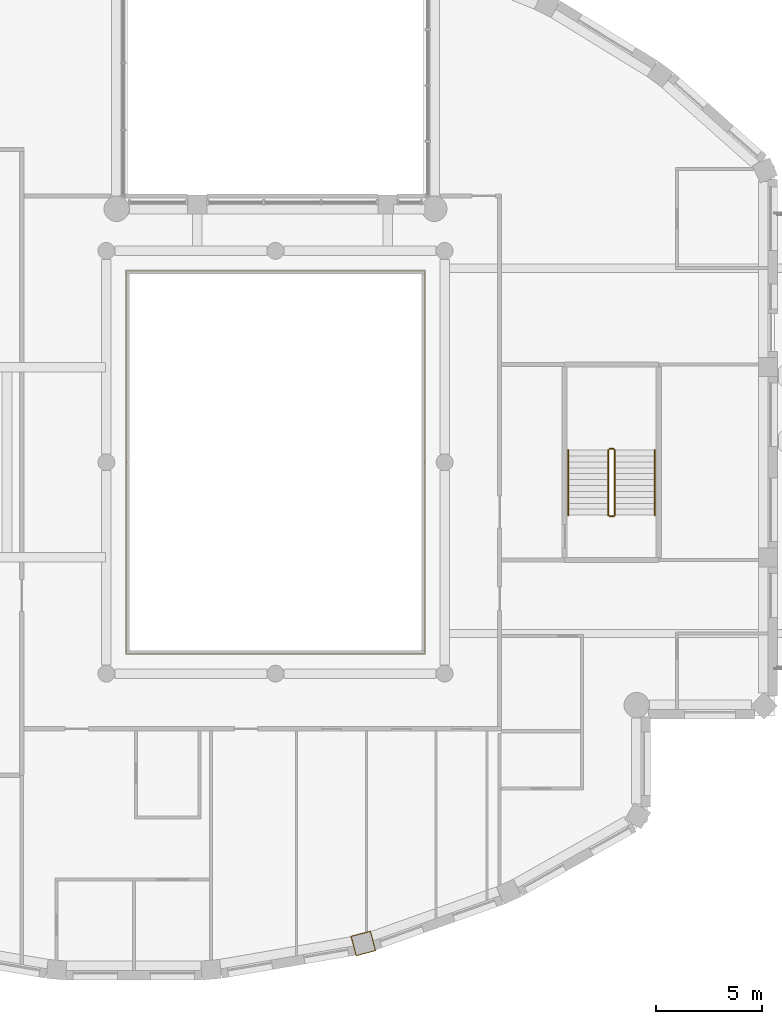
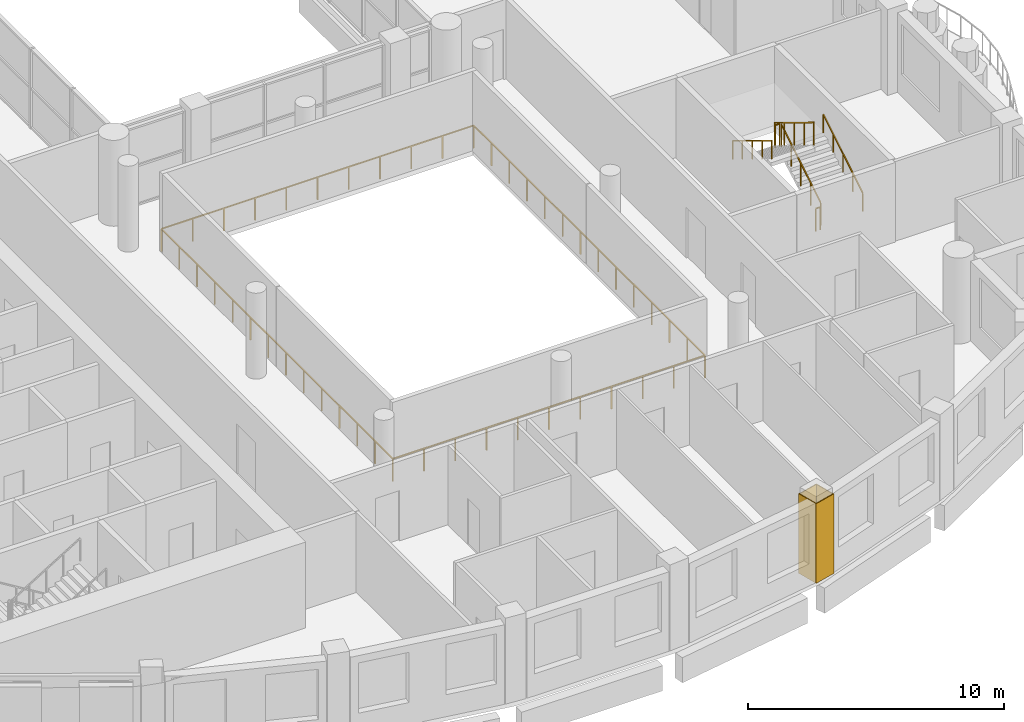
# One storey, part 11 of 14: 7 railings, 1 covering.
"""IFC4 building model written with IfcOpenShell, lengths in metres."""

from ifc_helpers import new_model, si_unit, direction, frame, origin, origin_2d, place, context, subcontext, project, spatial, polyline, rectangle, outline, extrude, material, layer, layer_set, type_object, element, save


model = new_model("IFC4")

# Units and contexts
model_context = context("Model", 3, precision=1e-05, world=origin(), true_north=direction((0.0, 1.0)))
body_context = subcontext(model_context, "Body", "Model", "MODEL_VIEW")
ifc_project = project(units=[si_unit("LENGTHUNIT", "METRE"), si_unit("AREAUNIT", "SQUARE_METRE"), si_unit("VOLUMEUNIT", "CUBIC_METRE"), si_unit("PLANEANGLEUNIT", "RADIAN"), si_unit("MASSUNIT", "GRAM", prefix="KILO")], contexts=[model_context])

# Site, building, storey
site_placement = place(None, origin())
site = spatial("IfcSite", under=ifc_project, at=site_placement, CompositionType="ELEMENT")
building_placement = place(site_placement, origin())
building = spatial("IfcBuilding", under=site, at=building_placement, Name="Cypress Arch Tower", CompositionType="ELEMENT")
storey_placement = place(building_placement, frame((0.0, 0.0, 325.39990234375)))
storey = spatial("IfcBuildingStorey", under=building, at=storey_placement, Name="L74", CompositionType="ELEMENT", Elevation=325.39990234375)

# Railing
ifc_material_1 = material(Name="Stainless steel posts and handrail, laminated glass infill", Category="steel")
railing_type_1 = type_object("IfcRailingType", Name="Atrium guard GR1100A", PredefinedType="GUARDRAIL", material=ifc_material_1)
railing_1_placement = place(storey_placement, frame((8.050048828125, -9.050048828125, 0.0)))
element("IfcRailing", 1, at=railing_1_placement, inside=storey, type_object=railing_type_1, Name="Atrium guard L74", PredefinedType="GUARDRAIL", context=body_context, shape_type="SweptSolid", body=[
    extrude(rectangle(XDim=0.050048828125, YDim=0.050048828125, at=origin_2d()), frame((0.0, 0.0, 1.0751953125), z_axis=(-1.0, 0.0, 0.0), x_axis=(0.0, -1.0, 0.0)), (0.0, 0.0, 1.0), 14.10009765625),
    extrude(rectangle(XDim=0.050048828125, YDim=0.050048828125, at=origin_2d()), frame((-14.10009765625, 0.0, 1.0751953125), z_axis=(0.0, 1.0, 0.0), x_axis=(-1.0, 0.0, 0.0)), (0.0, 0.0, 1.0), 18.10009765625),
    extrude(rectangle(XDim=0.050048828125, YDim=0.050048828125, at=origin_2d()), frame((-14.10009765625, 18.10009765625, 1.0751953125), z_axis=(1.0, 0.0, 0.0), x_axis=(0.0, 1.0, 0.0)), (0.0, 0.0, 1.0), 14.10009765625),
    extrude(rectangle(XDim=0.050048828125, YDim=0.050048828125, at=origin_2d()), frame((0.0, 18.10009765625, 1.0751953125), z_axis=(0.0, -1.0, 0.0), x_axis=(1.0, 0.0, 0.0)), (0.0, 0.0, 1.0), 18.10009765625),
    extrude(rectangle(XDim=0.050048828125, YDim=0.050048828125, at=origin_2d()), origin(), (0.0, 0.0, 1.0), 1.050048828125),
    extrude(rectangle(XDim=0.050048828125, YDim=0.050048828125, at=origin_2d()), frame((-1.409912109375, 0.0, 0.0)), (0.0, 0.0, 1.0), 1.050048828125),
    extrude(rectangle(XDim=0.050048828125, YDim=0.050048828125, at=origin_2d()), frame((-2.820068359375, 0.0, 0.0)), (0.0, 0.0, 1.0), 1.050048828125),
    extrude(rectangle(XDim=0.050048828125, YDim=0.050048828125, at=origin_2d()), frame((-4.22998046875, 0.0, 0.0)), (0.0, 0.0, 1.0), 1.050048828125),
    extrude(rectangle(XDim=0.050048828125, YDim=0.050048828125, at=origin_2d()), frame((-5.64013671875, 0.0, 0.0)), (0.0, 0.0, 1.0), 1.050048828125),
    extrude(rectangle(XDim=0.050048828125, YDim=0.050048828125, at=origin_2d()), frame((-7.050048828125, 0.0, 0.0)), (0.0, 0.0, 1.0), 1.050048828125),
    extrude(rectangle(XDim=0.050048828125, YDim=0.050048828125, at=origin_2d()), frame((-8.4599609375, 0.0, 0.0)), (0.0, 0.0, 1.0), 1.050048828125),
    extrude(rectangle(XDim=0.050048828125, YDim=0.050048828125, at=origin_2d()), frame((-9.8701171875, 0.0, 0.0)), (0.0, 0.0, 1.0), 1.050048828125),
    extrude(rectangle(XDim=0.050048828125, YDim=0.050048828125, at=origin_2d()), frame((-11.280029296875, 0.0, 0.0)), (0.0, 0.0, 1.0), 1.050048828125),
    extrude(rectangle(XDim=0.050048828125, YDim=0.050048828125, at=origin_2d()), frame((-12.690185546875, 0.0, 0.0)), (0.0, 0.0, 1.0), 1.050048828125),
    extrude(rectangle(XDim=0.050048828125, YDim=0.050048828125, at=origin_2d()), frame((-14.10009765625, 0.0, 0.0)), (0.0, 0.0, 1.0), 1.050048828125),
    extrude(rectangle(XDim=0.050048828125, YDim=0.050048828125, at=origin_2d()), frame((-14.10009765625, 1.392333984375, 0.0)), (0.0, 0.0, 1.0), 1.050048828125),
    extrude(rectangle(XDim=0.050048828125, YDim=0.050048828125, at=origin_2d()), frame((-14.10009765625, 2.78466796875, 0.0)), (0.0, 0.0, 1.0), 1.050048828125),
    extrude(rectangle(XDim=0.050048828125, YDim=0.050048828125, at=origin_2d()), frame((-14.10009765625, 4.177001953125, 0.0)), (0.0, 0.0, 1.0), 1.050048828125),
    extrude(rectangle(XDim=0.050048828125, YDim=0.050048828125, at=origin_2d()), frame((-14.10009765625, 5.5693359375, 0.0)), (0.0, 0.0, 1.0), 1.050048828125),
    extrude(rectangle(XDim=0.050048828125, YDim=0.050048828125, at=origin_2d()), frame((-14.10009765625, 6.961669921875, 0.0)), (0.0, 0.0, 1.0), 1.050048828125),
    extrude(rectangle(XDim=0.050048828125, YDim=0.050048828125, at=origin_2d()), frame((-14.10009765625, 8.35400390625, 0.0)), (0.0, 0.0, 1.0), 1.050048828125),
    extrude(rectangle(XDim=0.050048828125, YDim=0.050048828125, at=origin_2d()), frame((-14.10009765625, 9.74609375, 0.0)), (0.0, 0.0, 1.0), 1.050048828125),
    extrude(rectangle(XDim=0.050048828125, YDim=0.050048828125, at=origin_2d()), frame((-14.10009765625, 11.138427734375, 0.0)), (0.0, 0.0, 1.0), 1.050048828125),
    extrude(rectangle(XDim=0.050048828125, YDim=0.050048828125, at=origin_2d()), frame((-14.10009765625, 12.53076171875, 0.0)), (0.0, 0.0, 1.0), 1.050048828125),
    extrude(rectangle(XDim=0.050048828125, YDim=0.050048828125, at=origin_2d()), frame((-14.10009765625, 13.923095703125, 0.0)), (0.0, 0.0, 1.0), 1.050048828125),
    extrude(rectangle(XDim=0.050048828125, YDim=0.050048828125, at=origin_2d()), frame((-14.10009765625, 15.3154296875, 0.0)), (0.0, 0.0, 1.0), 1.050048828125),
    extrude(rectangle(XDim=0.050048828125, YDim=0.050048828125, at=origin_2d()), frame((-14.10009765625, 16.707763671875, 0.0)), (0.0, 0.0, 1.0), 1.050048828125),
    extrude(rectangle(XDim=0.050048828125, YDim=0.050048828125, at=origin_2d()), frame((-14.10009765625, 18.10009765625, 0.0)), (0.0, 0.0, 1.0), 1.050048828125),
    extrude(rectangle(XDim=0.050048828125, YDim=0.050048828125, at=origin_2d()), frame((-12.690185546875, 18.10009765625, 0.0)), (0.0, 0.0, 1.0), 1.050048828125),
    extrude(rectangle(XDim=0.050048828125, YDim=0.050048828125, at=origin_2d()), frame((-11.280029296875, 18.10009765625, 0.0)), (0.0, 0.0, 1.0), 1.050048828125),
    extrude(rectangle(XDim=0.050048828125, YDim=0.050048828125, at=origin_2d()), frame((-9.8701171875, 18.10009765625, 0.0)), (0.0, 0.0, 1.0), 1.050048828125),
    extrude(rectangle(XDim=0.050048828125, YDim=0.050048828125, at=origin_2d()), frame((-8.4599609375, 18.10009765625, 0.0)), (0.0, 0.0, 1.0), 1.050048828125),
    extrude(rectangle(XDim=0.050048828125, YDim=0.050048828125, at=origin_2d()), frame((-7.050048828125, 18.10009765625, 0.0)), (0.0, 0.0, 1.0), 1.050048828125),
    extrude(rectangle(XDim=0.050048828125, YDim=0.050048828125, at=origin_2d()), frame((-5.64013671875, 18.10009765625, 0.0)), (0.0, 0.0, 1.0), 1.050048828125),
    extrude(rectangle(XDim=0.050048828125, YDim=0.050048828125, at=origin_2d()), frame((-4.22998046875, 18.10009765625, 0.0)), (0.0, 0.0, 1.0), 1.050048828125),
    extrude(rectangle(XDim=0.050048828125, YDim=0.050048828125, at=origin_2d()), frame((-2.820068359375, 18.10009765625, 0.0)), (0.0, 0.0, 1.0), 1.050048828125),
    extrude(rectangle(XDim=0.050048828125, YDim=0.050048828125, at=origin_2d()), frame((-1.409912109375, 18.10009765625, 0.0)), (0.0, 0.0, 1.0), 1.050048828125),
    extrude(rectangle(XDim=0.050048828125, YDim=0.050048828125, at=origin_2d()), frame((0.0, 18.10009765625, 0.0)), (0.0, 0.0, 1.0), 1.050048828125),
    extrude(rectangle(XDim=0.050048828125, YDim=0.050048828125, at=origin_2d()), frame((0.0, 16.707763671875, 0.0)), (0.0, 0.0, 1.0), 1.050048828125),
    extrude(rectangle(XDim=0.050048828125, YDim=0.050048828125, at=origin_2d()), frame((0.0, 15.3154296875, 0.0)), (0.0, 0.0, 1.0), 1.050048828125),
    extrude(rectangle(XDim=0.050048828125, YDim=0.050048828125, at=origin_2d()), frame((0.0, 13.923095703125, 0.0)), (0.0, 0.0, 1.0), 1.050048828125),
    extrude(rectangle(XDim=0.050048828125, YDim=0.050048828125, at=origin_2d()), frame((0.0, 12.53076171875, 0.0)), (0.0, 0.0, 1.0), 1.050048828125),
    extrude(rectangle(XDim=0.050048828125, YDim=0.050048828125, at=origin_2d()), frame((0.0, 11.138427734375, 0.0)), (0.0, 0.0, 1.0), 1.050048828125),
    extrude(rectangle(XDim=0.050048828125, YDim=0.050048828125, at=origin_2d()), frame((0.0, 9.74609375, 0.0)), (0.0, 0.0, 1.0), 1.050048828125),
    extrude(rectangle(XDim=0.050048828125, YDim=0.050048828125, at=origin_2d()), frame((0.0, 8.35400390625, 0.0)), (0.0, 0.0, 1.0), 1.050048828125),
    extrude(rectangle(XDim=0.050048828125, YDim=0.050048828125, at=origin_2d()), frame((0.0, 6.961669921875, 0.0)), (0.0, 0.0, 1.0), 1.050048828125),
    extrude(rectangle(XDim=0.050048828125, YDim=0.050048828125, at=origin_2d()), frame((0.0, 5.5693359375, 0.0)), (0.0, 0.0, 1.0), 1.050048828125),
    extrude(rectangle(XDim=0.050048828125, YDim=0.050048828125, at=origin_2d()), frame((0.0, 4.177001953125, 0.0)), (0.0, 0.0, 1.0), 1.050048828125),
    extrude(rectangle(XDim=0.050048828125, YDim=0.050048828125, at=origin_2d()), frame((0.0, 2.78466796875, 0.0)), (0.0, 0.0, 1.0), 1.050048828125),
    extrude(rectangle(XDim=0.050048828125, YDim=0.050048828125, at=origin_2d()), frame((0.0, 1.392333984375, 0.0)), (0.0, 0.0, 1.0), 1.050048828125),
])

# Covering
ifc_material_2 = material(Name="Painted plasterboard column casing")
ifc_layer = layer(ifc_material_2, 0.0400390625)
ifc_layer_set = layer_set([ifc_layer], Name="Column casing CK40")
covering_type = type_object("IfcCoveringType", Name="Column casing CK40", PredefinedType="CLADDING", material=ifc_layer_set)
covering_placement = place(storey_placement, origin())
element("IfcCovering", 2, at=covering_placement, inside=storey, type_object=covering_type, Name="Column casing L74 CC16", PredefinedType="CLADDING", context=body_context, shape_type="SweptSolid", body=[
    extrude(outline(polyline([(4.804443359375, -23.361083984375), (4.55615234375, -22.4130859375), (5.504150390625, -22.164794921875), (5.75244140625, -23.11279296875), (4.804443359375, -23.361083984375)]), holes=[polyline([(4.8330078125, -23.312255859375), (5.70361328125, -23.084228515625), (5.4755859375, -22.213623046875), (4.60498046875, -22.441650390625), (4.8330078125, -23.312255859375)])]), origin(), (0.0, 0.0, 1.0), 3.800048828125),
])

# Railings
ifc_material_3 = material(Name="Black powder-coated steel square bar 48 mm", Category="steel")
railing_type_2 = type_object("IfcRailingType", Name="Stair handrail HR1", PredefinedType="HANDRAIL", material=ifc_material_3)
railing_2_placement = place(storey_placement, frame((18.949951171875, -2.5, 0.1708984375)))
element("IfcRailing", 3, at=railing_2_placement, inside=storey, type_object=railing_type_2, Name="L74 C stair handrail 1", PredefinedType="HANDRAIL", context=body_context, shape_type="SweptSolid", body=[
    extrude(rectangle(XDim=0.048095703125, YDim=0.048095703125, at=origin_2d()), frame((0.0, 0.0, 0.8759765625), z_axis=(0.0, 0.853666305674, 0.52082035152), x_axis=(-1.0, 0.0, 0.0)), (0.0, 0.0, 1.0), 3.608154296875),
    extrude(rectangle(XDim=0.0419921875, YDim=0.0419921875, at=origin_2d()), origin(), (0.0, 0.0, 1.0), 0.851806640625),
    extrude(rectangle(XDim=0.0419921875, YDim=0.0419921875, at=origin_2d()), frame((0.0, 0.77001953125, 0.4697265625)), (0.0, 0.0, 1.0), 0.851806640625),
    extrude(rectangle(XDim=0.0419921875, YDim=0.0419921875, at=origin_2d()), frame((0.0, 1.5400390625, 0.939453125)), (0.0, 0.0, 1.0), 0.851806640625),
    extrude(rectangle(XDim=0.0419921875, YDim=0.0419921875, at=origin_2d()), frame((0.0, 2.31005859375, 1.409423828125)), (0.0, 0.0, 1.0), 0.851806640625),
    extrude(rectangle(XDim=0.0419921875, YDim=0.0419921875, at=origin_2d()), frame((0.0, 3.080078125, 1.879150390625)), (0.0, 0.0, 1.0), 0.851806640625),
])
railing_3_placement = place(storey_placement, frame((14.85009765625, 0.580078125, 2.220947265625)))
element("IfcRailing", 4, at=railing_3_placement, inside=storey, type_object=railing_type_2, Name="L74 C stair handrail 2", PredefinedType="HANDRAIL", context=body_context, shape_type="SweptSolid", body=[
    extrude(rectangle(XDim=0.048095703125, YDim=0.048095703125, at=origin_2d()), frame((0.0, 0.0, 0.8759765625), z_axis=(0.0, -0.853666305674, 0.52082035152), x_axis=(1.0, 0.0, 0.0)), (0.0, 0.0, 1.0), 3.608154296875),
    extrude(rectangle(XDim=0.0419921875, YDim=0.0419921875, at=origin_2d()), origin(), (0.0, 0.0, 1.0), 0.851806640625),
    extrude(rectangle(XDim=0.0419921875, YDim=0.0419921875, at=origin_2d()), frame((0.0, -0.77001953125, 0.4697265625)), (0.0, 0.0, 1.0), 0.851806640625),
    extrude(rectangle(XDim=0.0419921875, YDim=0.0419921875, at=origin_2d()), frame((0.0, -1.5400390625, 0.939453125)), (0.0, 0.0, 1.0), 0.851806640625),
    extrude(rectangle(XDim=0.0419921875, YDim=0.0419921875, at=origin_2d()), frame((0.0, -2.31005859375, 1.409423828125)), (0.0, 0.0, 1.0), 0.851806640625),
    extrude(rectangle(XDim=0.0419921875, YDim=0.0419921875, at=origin_2d()), frame((0.0, -3.080078125, 1.879150390625)), (0.0, 0.0, 1.0), 0.851806640625),
])
ifc_material_4 = material(Name="Black powder-coated steel balusters", Category="steel")
railing_type_3 = type_object("IfcRailingType", Name="Stair well guard G1", PredefinedType="GUARDRAIL", material=ifc_material_4)
railing_4_placement = place(storey_placement, frame((17.050048828125, -2.5, 0.1708984375)))
element("IfcRailing", 5, at=railing_4_placement, inside=storey, type_object=railing_type_3, Name="L74 C stair guard 1", PredefinedType="GUARDRAIL", context=body_context, shape_type="SweptSolid", body=[
    extrude(rectangle(XDim=0.048095703125, YDim=0.048095703125, at=origin_2d()), frame((0.0, 0.0, 1.076171875), z_axis=(0.0, 0.853666305674, 0.52082035152), x_axis=(-1.0, 0.0, 0.0)), (0.0, 0.0, 1.0), 3.608154296875),
    extrude(rectangle(XDim=0.0419921875, YDim=0.0419921875, at=origin_2d()), origin(), (0.0, 0.0, 1.0), 1.052001953125),
    extrude(rectangle(XDim=0.0419921875, YDim=0.0419921875, at=origin_2d()), frame((0.0, 0.77001953125, 0.4697265625)), (0.0, 0.0, 1.0), 1.052001953125),
    extrude(rectangle(XDim=0.0419921875, YDim=0.0419921875, at=origin_2d()), frame((0.0, 1.5400390625, 0.939453125)), (0.0, 0.0, 1.0), 1.052001953125),
    extrude(rectangle(XDim=0.0419921875, YDim=0.0419921875, at=origin_2d()), frame((0.0, 2.31005859375, 1.409423828125)), (0.0, 0.0, 1.0), 1.052001953125),
    extrude(rectangle(XDim=0.0419921875, YDim=0.0419921875, at=origin_2d()), frame((0.0, 3.080078125, 1.879150390625)), (0.0, 0.0, 1.0), 1.052001953125),
])
railing_5_placement = place(storey_placement, frame((17.0, 0.6298828125, 2.050048828125)))
element("IfcRailing", 6, at=railing_5_placement, inside=storey, type_object=railing_type_3, Name="L74 C stair guard 2", PredefinedType="GUARDRAIL", context=body_context, shape_type="SweptSolid", body=[
    extrude(rectangle(XDim=0.048095703125, YDim=0.048095703125, at=origin_2d()), frame((0.0, 0.0, 1.076171875), z_axis=(-1.0, 0.0, 0.0), x_axis=(0.0, -1.0, 0.0)), (0.0, 0.0, 1.0), 0.199951171875),
    extrude(rectangle(XDim=0.0419921875, YDim=0.0419921875, at=origin_2d()), origin(), (0.0, 0.0, 1.0), 1.052001953125),
    extrude(rectangle(XDim=0.0419921875, YDim=0.0419921875, at=origin_2d()), frame((-0.199951171875, 0.0, 0.0)), (0.0, 0.0, 1.0), 1.052001953125),
])
railing_6_placement = place(storey_placement, frame((16.75, 0.580078125, 2.220947265625)))
element("IfcRailing", 7, at=railing_6_placement, inside=storey, type_object=railing_type_3, Name="L74 C stair guard 3", PredefinedType="GUARDRAIL", context=body_context, shape_type="SweptSolid", body=[
    extrude(rectangle(XDim=0.048095703125, YDim=0.048095703125, at=origin_2d()), frame((0.0, 0.0, 1.076171875), z_axis=(0.0, -0.853666305674, 0.52082035152), x_axis=(1.0, 0.0, 0.0)), (0.0, 0.0, 1.0), 3.608154296875),
    extrude(rectangle(XDim=0.0419921875, YDim=0.0419921875, at=origin_2d()), origin(), (0.0, 0.0, 1.0), 1.052001953125),
    extrude(rectangle(XDim=0.0419921875, YDim=0.0419921875, at=origin_2d()), frame((0.0, -0.77001953125, 0.4697265625)), (0.0, 0.0, 1.0), 1.052001953125),
    extrude(rectangle(XDim=0.0419921875, YDim=0.0419921875, at=origin_2d()), frame((0.0, -1.5400390625, 0.939453125)), (0.0, 0.0, 1.0), 1.052001953125),
    extrude(rectangle(XDim=0.0419921875, YDim=0.0419921875, at=origin_2d()), frame((0.0, -2.31005859375, 1.409423828125)), (0.0, 0.0, 1.0), 1.052001953125),
    extrude(rectangle(XDim=0.0419921875, YDim=0.0419921875, at=origin_2d()), frame((0.0, -3.080078125, 1.879150390625)), (0.0, 0.0, 1.0), 1.052001953125),
])
railing_7_placement = place(storey_placement, frame((17.0, -2.550048828125, 0.0)))
element("IfcRailing", 8, at=railing_7_placement, inside=storey, type_object=railing_type_3, Name="L74 C stair guard 4", PredefinedType="GUARDRAIL", context=body_context, shape_type="SweptSolid", body=[
    extrude(rectangle(XDim=0.048095703125, YDim=0.048095703125, at=origin_2d()), frame((0.0, 0.0, 1.076171875), z_axis=(-1.0, 0.0, 0.0), x_axis=(0.0, -1.0, 0.0)), (0.0, 0.0, 1.0), 0.199951171875),
    extrude(rectangle(XDim=0.0419921875, YDim=0.0419921875, at=origin_2d()), origin(), (0.0, 0.0, 1.0), 1.052001953125),
    extrude(rectangle(XDim=0.0419921875, YDim=0.0419921875, at=origin_2d()), frame((-0.199951171875, 0.0, 0.0)), (0.0, 0.0, 1.0), 1.052001953125),
])

save(model, "model.ifc")
